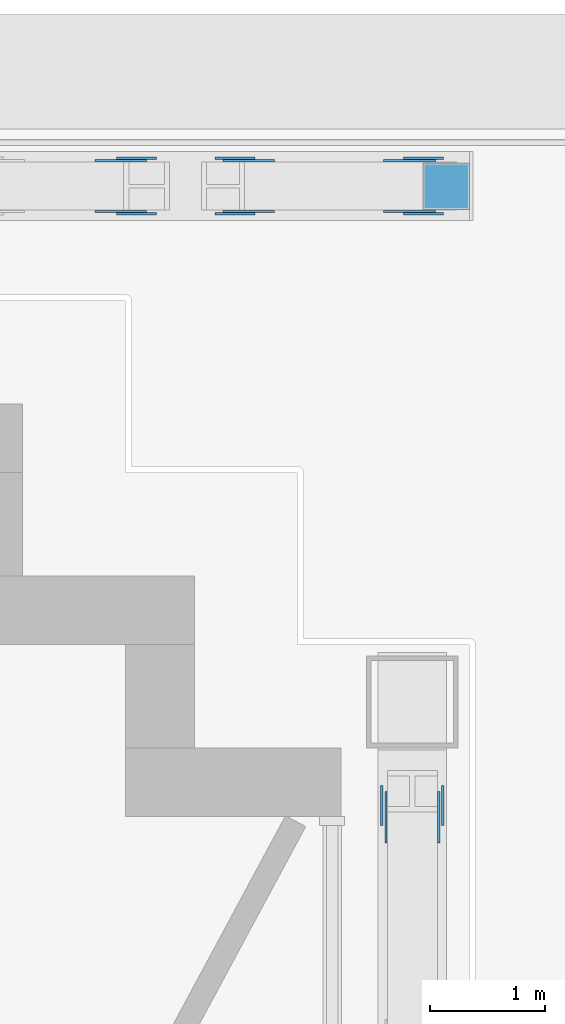
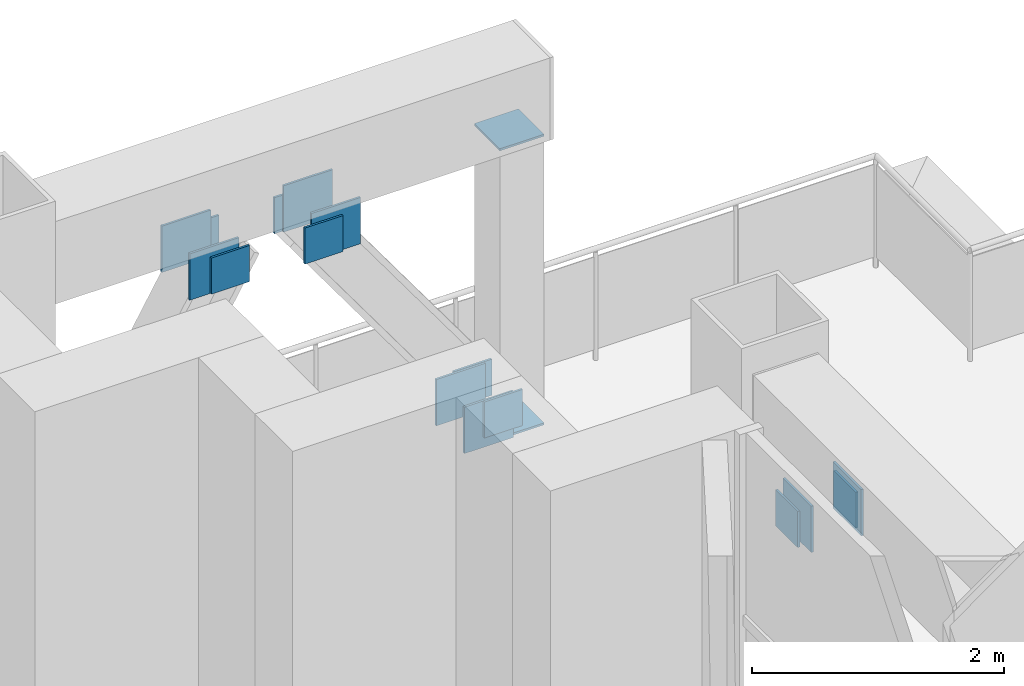
# One storey, part 22 of 25: 18 discrete accessories.
"""IFC4 building model written with IfcOpenShell, lengths in metres."""

import ifcopenshell
import ifcopenshell.guid

model = None  # the IFC model being written
_history = None  # IfcOwnerHistory: only IFC2X3 demands one
_inside = {}  # id of a spatial element -> (the spatial element, [elements in it])
_under = {}  # id of a project, library or spatial element -> (it, [spatial elements below it])
_declared = {}  # id of a project -> (the project, [libraries it declares])
_typed = {}  # id of a type object -> (the type object, [elements of that type])
_made_of = {}  # id of a material, layer set ... -> (it, [elements and type objects made of it])


def new_model(schema):
    """Start an empty IFC model of exactly this schema.

    Asked for "IFC4X3", IfcOpenShell would pick the latest addendum, in which some entities
    have other attributes; the version numbers below select the first issue.
    IFC2X3 requires an IfcOwnerHistory on every rooted entity: one is made here for all.
    """
    global model, _history
    if schema == "IFC4X3":
        model = ifcopenshell.file(schema_version=(4, 3, 0, 0))
    else:
        model = ifcopenshell.file(schema=schema)
    _inside.clear()
    _under.clear()
    _declared.clear()
    _typed.clear()
    _made_of.clear()
    _history = None
    if model.schema == "IFC2X3":
        org = make("IfcOrganization", Name="unknown")
        user = make(
            "IfcPersonAndOrganization",
            ThePerson=make("IfcPerson", FamilyName="unknown"),
            TheOrganization=org,
        )
        app = make(
            "IfcApplication",
            ApplicationDeveloper=org,
            Version="unknown",
            ApplicationFullName="unknown",
            ApplicationIdentifier="unknown",
        )
        _history = make(
            "IfcOwnerHistory",
            OwningUser=user,
            OwningApplication=app,
            ChangeAction="ADDED",
            CreationDate=0,
        )
    return model


def make(cls, **values):
    """One entity of the class cls with the attributes given. An attribute that is None is left unset."""
    return model.create_entity(
        cls, **{name: value for name, value in values.items() if value is not None}
    )


def rooted(cls, **values):
    """An entity with a GlobalId (a new one), such as an element, a storey or a relation."""
    return make(cls, GlobalId=ifcopenshell.guid.new(), OwnerHistory=_history, **values)


def si_unit(unit_type, name, prefix=None):
    """IfcSIUnit, for example si_unit("LENGTHUNIT", "METRE", prefix="MILLI")."""
    return make("IfcSIUnit", UnitType=unit_type, Prefix=prefix, Name=name)


def assignment(units):
    """IfcUnitAssignment: the units of a project."""
    return None if units is None else make("IfcUnitAssignment", Units=units)


def point(xyz):
    """IfcCartesianPoint."""
    return None if xyz is None else make("IfcCartesianPoint", Coordinates=xyz)


def direction(xyz):
    """IfcDirection."""
    return None if xyz is None else make("IfcDirection", DirectionRatios=xyz)


def frame(location, z_axis=None, x_axis=None):
    """IfcAxis2Placement3D, a coordinate frame: its origin and axes. An axis left out is left unset."""
    return make(
        "IfcAxis2Placement3D",
        Location=point(location),
        Axis=direction(z_axis),
        RefDirection=direction(x_axis),
    )


def frame_2d(location, x_axis=None):
    """IfcAxis2Placement2D, a coordinate frame in the plane: its origin and x axis."""
    return make(
        "IfcAxis2Placement2D", Location=point(location), RefDirection=direction(x_axis)
    )


def origin():
    """The frame at (0, 0, 0) with its axes left unset."""
    return frame((0.0, 0.0, 0.0))


def origin_2d():
    """The frame at (0, 0) in the plane with its x axis left unset."""
    return frame_2d((0.0, 0.0))


def place(relative_to, where):
    """IfcLocalPlacement: puts the frame where relative to a parent placement (None: the world)."""
    return make(
        "IfcLocalPlacement", PlacementRelTo=relative_to, RelativePlacement=where
    )


def context(
    kind, dimensions, precision=None, world=None, true_north=None, identifier=None
):
    """IfcGeometricRepresentationContext, for example the 3D "Model" context."""
    return make(
        "IfcGeometricRepresentationContext",
        ContextIdentifier=identifier,
        ContextType=kind,
        CoordinateSpaceDimension=dimensions,
        Precision=precision,
        WorldCoordinateSystem=world,
        TrueNorth=true_north,
    )


def subcontext(parent, identifier, kind, view, scale=None):
    """IfcGeometricRepresentationSubContext, for example "Body" below "Model"."""
    return make(
        "IfcGeometricRepresentationSubContext",
        ContextIdentifier=identifier,
        ContextType=kind,
        ParentContext=parent,
        TargetScale=scale,
        TargetView=view,
    )


def project(units=None, contexts=None):
    """IfcProject with its units and contexts."""
    return rooted(
        "IfcProject",
        Name="project",
        RepresentationContexts=contexts,
        UnitsInContext=assignment(units),
    )


def spatial(cls, under=None, at=None, **own):
    """A site, building, storey or space (cls), placed at a placement, below another one or the project."""
    s = rooted(cls, ObjectPlacement=at, **own)
    if under is not None:
        _under.setdefault(under.id(), (under, []))[1].append(s)
    return s


def profile(cls, at=None, kind="AREA", **sizes):
    """A parametric profile (cls). Its sizes go by their IFC names, for example OverallWidth=200.0."""
    return make(cls, ProfileType=kind, Position=at, **sizes)


def rectangle(**sizes):
    """IfcRectangleProfileDef."""
    return profile("IfcRectangleProfileDef", **sizes)


def extrude(swept, where, along, depth):
    """IfcExtrudedAreaSolid: the profile swept, set in the frame where, extruded along a direction by depth."""
    return make(
        "IfcExtrudedAreaSolid",
        SweptArea=swept,
        Position=where,
        ExtrudedDirection=direction(along),
        Depth=depth,
    )


def shape(context_of_items, identifier, shape_type, items):
    """IfcShapeRepresentation: the items that make up one representation, for example the "Body"."""
    return make(
        "IfcShapeRepresentation",
        ContextOfItems=context_of_items,
        RepresentationIdentifier=identifier,
        RepresentationType=shape_type,
        Items=items,
    )


def made_of(thing, what):
    """Note that an element or type object is made of a material, layer set ...; save() writes the relation."""
    if what is not None:
        _made_of.setdefault(what.id(), (what, []))[1].append(thing)
    return thing


def element(
    cls,
    number,
    at=None,
    inside=None,
    cuts=None,
    type_object=None,
    material=None,
    context=None,
    identifier="Body",
    shape_type=None,
    held_by="IfcProductDefinitionShape",
    body=None,
    shapes=None,
    **own,
):
    """One element of the class cls, such as IfcWall. Its Tag is "e" and its number.

    at: its placement. inside: the storey or other place that contains it. cuts: it is an
    opening in that element (IfcRelVoidsElement). A single representation is given by context,
    identifier, shape_type and body (its items); several are given by shapes. held_by: the class
    of the entity that holds the representations. save() writes the other relations.
    """
    e = rooted(cls, Tag="e%d" % number, ObjectPlacement=at, **own)
    if body is not None:
        shapes = [shape(context, identifier, shape_type, body)]
    if shapes is not None:
        e.Representation = make(held_by, Representations=shapes)
    if inside is not None:
        _inside.setdefault(inside.id(), (inside, []))[1].append(e)
    if cuts is not None:
        rooted(
            "IfcRelVoidsElement", RelatingBuildingElement=cuts, RelatedOpeningElement=e
        )
    if type_object is not None:
        _typed.setdefault(type_object.id(), (type_object, []))[1].append(e)
    return made_of(e, material)


def aggregate(whole, parts):
    """IfcRelAggregates: a whole, such as a stair, and the parts it consists of."""
    return rooted("IfcRelAggregates", RelatingObject=whole, RelatedObjects=parts)


def save(model, path):
    """Write the relations noted so far, then the file.

    IfcRelAggregates (storeys below a building ...), IfcRelContainedInSpatialStructure (elements
    in a storey), IfcRelDefinesByType, IfcRelAssociatesMaterial and IfcRelDeclares: one each for
    every whole, place, type object, material and project.
    """
    for whole, parts in _under.values():
        aggregate(whole, parts)
    for where, things in _inside.values():
        rooted(
            "IfcRelContainedInSpatialStructure",
            RelatedElements=things,
            RelatingStructure=where,
        )
    for kind, things in _typed.values():
        rooted("IfcRelDefinesByType", RelatedObjects=things, RelatingType=kind)
    for what, things in _made_of.values():
        rooted("IfcRelAssociatesMaterial", RelatedObjects=things, RelatingMaterial=what)
    for by, libraries in _declared.values():
        rooted("IfcRelDeclares", RelatingContext=by, RelatedDefinitions=libraries)
    model.write(path)


model = new_model("IFC4")

# Units and contexts
model_context = context("Model", 3, precision=1e-05, world=origin(), true_north=direction((0.0, 1.0)))
body_context = subcontext(model_context, "Body", "Model", "MODEL_VIEW")
ifc_project = project(units=[si_unit("LENGTHUNIT", "METRE"), si_unit("AREAUNIT", "SQUARE_METRE"), si_unit("VOLUMEUNIT", "CUBIC_METRE"), si_unit("PLANEANGLEUNIT", "RADIAN"), si_unit("MASSUNIT", "GRAM", prefix="KILO")], contexts=[model_context])

# Site, building, storey
site_placement = place(None, origin())
site = spatial("IfcSite", under=ifc_project, at=site_placement, CompositionType="ELEMENT")
building_placement = place(site_placement, origin())
building = spatial("IfcBuilding", under=site, at=building_placement, Name="Vidyagriha Tower", CompositionType="ELEMENT")
storey_placement = place(building_placement, frame((0.0, 0.0, 115.89990234375)))
storey = spatial("IfcBuildingStorey", under=building, at=storey_placement, Name="L29", CompositionType="ELEMENT", Elevation=115.89990234375)

# Discrete accessories
for number, where, name in (
    (1, (30.956298828125, 19.721923828125, 2.3701171875), "Truss gusset plate ASTM A572 Grade 50 20mm"),
    (2, (30.956298828125, 19.278076171875, 2.3701171875), "Truss gusset plate ASTM A572 Grade 50 20mm"),
    (3, (32.07421875, 19.721923828125, 2.3701171875), "Truss gusset plate ASTM A572 Grade 50 20mm"),
    (4, (32.07421875, 19.278076171875, 2.3701171875), "Truss gusset plate ASTM A572 Grade 50 20mm"),
    (5, (33.4755859375, 19.721923828125, 0.0), "Truss gusset plate ASTM A572 Grade 50 20mm"),
    (6, (33.4755859375, 19.278076171875, 0.0), "Truss gusset plate ASTM A572 Grade 50 20mm"),
):
    element("IfcDiscreteAccessory", number, at=place(storey_placement, frame(where)), inside=storey, Name=name, ObjectType="GUSSET PLATE", PredefinedType="USERDEFINED", context=body_context, shape_type="SweptSolid", body=[
        extrude(rectangle(XDim=0.449951171875, YDim=0.02001953125, at=origin_2d()), origin(), (0.0, 0.0, 1.0), 0.449951171875),
    ])
for number, where, z_axis, x_axis, name in (
    (7, (33.2705078125, 13.99560546875, 2.3701171875), (0.0, 0.0, 1.0), (0.0, 1.0, 0.0), "Truss gusset plate ASTM A572 Grade 50 20mm"),
    (8, (33.7294921875, 13.99560546875, 2.3701171875), (0.0, 0.0, 1.0), (0.0, 1.0, 0.0), "Truss gusset plate ASTM A572 Grade 50 20mm"),
):
    element("IfcDiscreteAccessory", number, at=place(storey_placement, frame(where, z_axis=z_axis, x_axis=x_axis)), inside=storey, Name=name, ObjectType="GUSSET PLATE", PredefinedType="USERDEFINED", context=body_context, shape_type="SweptSolid", body=[
        extrude(rectangle(XDim=0.449951171875, YDim=0.02001953125, at=origin_2d()), origin(), (0.0, 0.0, 1.0), 0.449951171875),
    ])
for number, where, name in (
    (9, (31.093017578125, 19.742431640625, 2.376708984375), "End plate ASTM A572 Grade 50 20mm"),
    (10, (31.093017578125, 19.257568359375, 2.376708984375), "End plate ASTM A572 Grade 50 20mm"),
):
    element("IfcDiscreteAccessory", number, at=place(storey_placement, frame(where)), inside=storey, Name=name, ObjectType="END PLATE", PredefinedType="USERDEFINED", context=body_context, shape_type="SweptSolid", body=[
        extrude(rectangle(XDim=0.35009765625, YDim=0.02001953125, at=origin_2d()), origin(), (0.0, 0.0, 1.0), 0.35009765625),
    ])
for number, where, z_axis, x_axis, name in (
    (11, (31.9521484375, 19.257568359375, 2.366943359375), (0.0, 0.0, 1.0), (-1.0, 0.0, 0.0), "End plate ASTM A572 Grade 50 20mm"),
    (12, (31.9521484375, 19.742431640625, 2.366943359375), (0.0, 0.0, 1.0), (-1.0, 0.0, 0.0), "End plate ASTM A572 Grade 50 20mm"),
):
    element("IfcDiscreteAccessory", number, at=place(storey_placement, frame(where, z_axis=z_axis, x_axis=x_axis)), inside=storey, Name=name, ObjectType="END PLATE", PredefinedType="USERDEFINED", context=body_context, shape_type="SweptSolid", body=[
        extrude(rectangle(XDim=0.35009765625, YDim=0.02001953125, at=origin_2d()), origin(), (0.0, 0.0, 1.0), 0.35009765625),
    ])
for number, where, name in (
    (13, (33.597900390625, 19.742431640625, 0.103271484375), "End plate ASTM A572 Grade 50 20mm"),
    (14, (33.597900390625, 19.257568359375, 0.103271484375), "End plate ASTM A572 Grade 50 20mm"),
):
    element("IfcDiscreteAccessory", number, at=place(storey_placement, frame(where)), inside=storey, Name=name, ObjectType="END PLATE", PredefinedType="USERDEFINED", context=body_context, shape_type="SweptSolid", body=[
        extrude(rectangle(XDim=0.35009765625, YDim=0.02001953125, at=origin_2d()), origin(), (0.0, 0.0, 1.0), 0.35009765625),
    ])
for number, where, name in (
    (15, (33.796875, 19.5, 0.0), "End plate ASTM A572 Grade 50 20mm"),
    (16, (33.796875, 19.5, 2.80029296875), "End plate ASTM A572 Grade 50 20mm"),
):
    element("IfcDiscreteAccessory", number, at=place(storey_placement, frame(where)), inside=storey, Name=name, ObjectType="END PLATE", PredefinedType="USERDEFINED", context=body_context, shape_type="SweptSolid", body=[
        extrude(rectangle(XDim=0.406494140625, YDim=0.406494140625, at=origin_2d()), origin(), (0.0, 0.0, 1.0), 0.02001953125),
    ])
for number, where, z_axis, x_axis, name in (
    (17, (33.2333984375, 14.09716796875, 2.340087890625), (0.0, 0.0, 1.0), (0.0, 1.0, 0.0), "End plate ASTM A572 Grade 50 20mm"),
    (18, (33.7666015625, 14.09716796875, 2.340087890625), (0.0, 0.0, 1.0), (0.0, 1.0, 0.0), "End plate ASTM A572 Grade 50 20mm"),
):
    element("IfcDiscreteAccessory", number, at=place(storey_placement, frame(where, z_axis=z_axis, x_axis=x_axis)), inside=storey, Name=name, ObjectType="END PLATE", PredefinedType="USERDEFINED", context=body_context, shape_type="SweptSolid", body=[
        extrude(rectangle(XDim=0.35009765625, YDim=0.02001953125, at=origin_2d()), origin(), (0.0, 0.0, 1.0), 0.35009765625),
    ])

save(model, "model.ifc")
